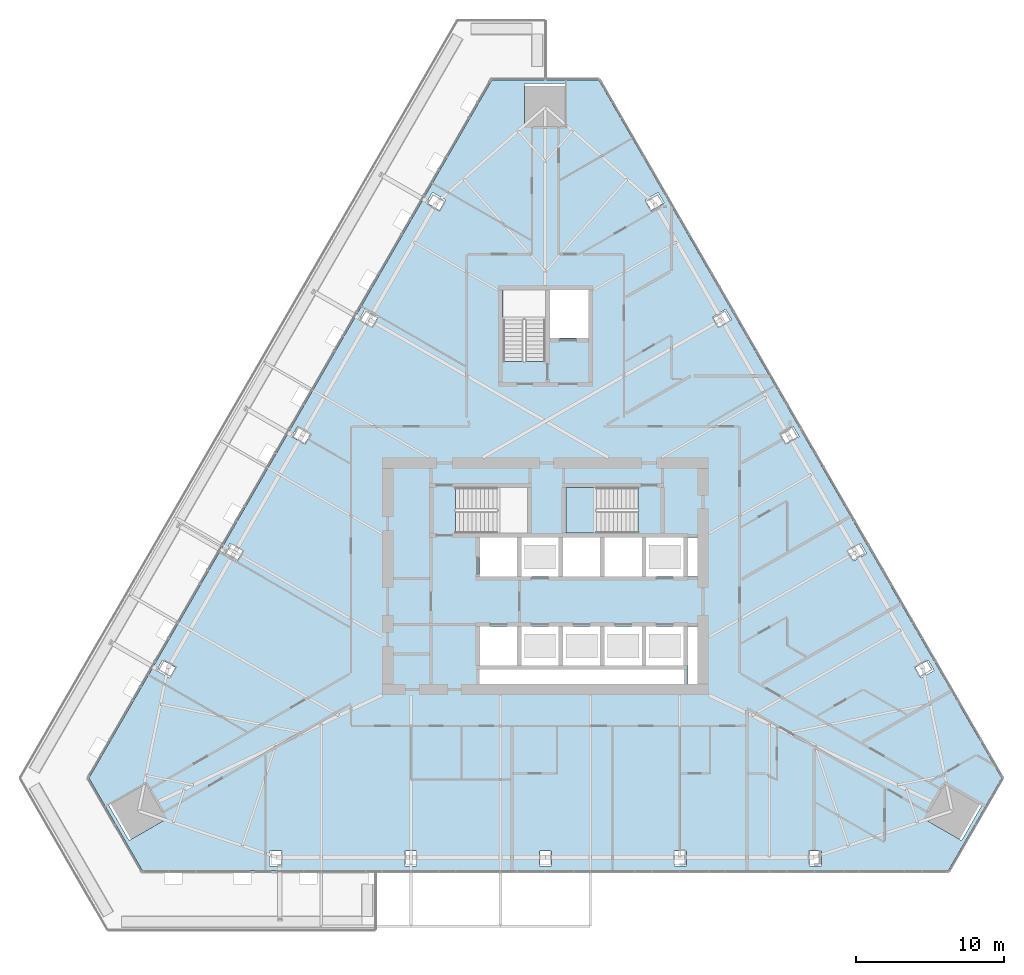
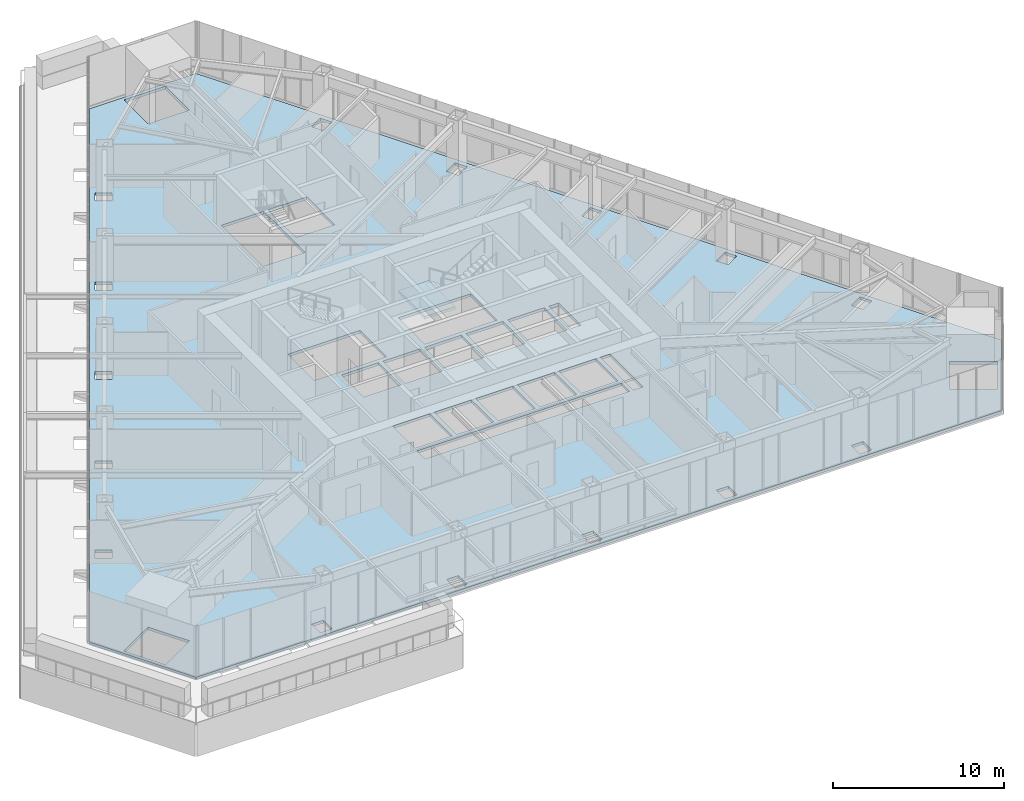
# One storey, part 20 of 35: 2 slabs, 1 element without a shape of its own.
"""IFC4 building model written with IfcOpenShell, lengths in metres."""

from ifc_helpers import new_model, si_unit, direction, frame, origin, place, context, subcontext, project, spatial, polyline, outline, extrude, material, layer, layer_set, type_object, element, aggregate, save


model = new_model("IFC4")

# Units and contexts
model_context = context("Model", 3, precision=1e-05, world=origin(), true_north=direction((0.0, 1.0)))
body_context = subcontext(model_context, "Body", "Model", "MODEL_VIEW")
ifc_project = project(units=[si_unit("LENGTHUNIT", "METRE"), si_unit("AREAUNIT", "SQUARE_METRE"), si_unit("VOLUMEUNIT", "CUBIC_METRE"), si_unit("PLANEANGLEUNIT", "RADIAN"), si_unit("MASSUNIT", "GRAM", prefix="KILO")], contexts=[model_context])

# Site, building, storey
site_placement = place(None, origin())
site = spatial("IfcSite", under=ifc_project, at=site_placement, CompositionType="ELEMENT")
building_placement = place(site_placement, origin())
building = spatial("IfcBuilding", under=site, at=building_placement, Name="Firuza Gate Tower and Library", CompositionType="ELEMENT")
storey_placement = place(building_placement, frame((0.0, 0.0, 159.699951171875)))
storey = spatial("IfcBuildingStorey", under=building, at=storey_placement, Name="L36", CompositionType="ELEMENT", Elevation=159.699951171875)

# Slab
ifc_material_1 = material(Name="Concrete C40/50", Category="concrete")
ifc_layer_1 = layer(ifc_material_1, 0.199951171875)
ifc_layer_set_1 = layer_set([ifc_layer_1], Name="Composite floor slab 200 C40/50")
slab_type_1 = type_object("IfcSlabType", Name="Composite floor slab 200 C40/50", PredefinedType="FLOOR", material=ifc_layer_set_1)
slab_1_placement = place(storey_placement, frame((0.0, 0.0, -0.199951171875)))
element("IfcSlab", 1, at=slab_1_placement, inside=storey, type_object=slab_type_1, Name="Floor slab L36", PredefinedType="FLOOR", context=body_context, shape_type="SweptSolid", body=[
    extrude(outline(polyline([(44.238037109375, 61.396484375), (47.838134765625, 55.1611328125), (102.161865234375, 55.1611328125), (105.761962890625, 61.396484375), (78.60009765625, 108.4423828125), (71.39990234375, 108.4423828125), (44.238037109375, 61.396484375)]), holes=[polyline([(56.39990234375, 55.4814453125), (56.39990234375, 56.4814453125), (57.199951171875, 56.4814453125), (57.199951171875, 55.4814453125), (56.39990234375, 55.4814453125)]), polyline([(74.60009765625, 55.4814453125), (74.60009765625, 56.4814453125), (75.39990234375, 56.4814453125), (75.39990234375, 55.4814453125), (74.60009765625, 55.4814453125)]), polyline([(65.5, 55.4814453125), (65.5, 56.4814453125), (66.300048828125, 56.4814453125), (66.300048828125, 55.4814453125), (65.5, 55.4814453125)]), polyline([(45.54638671875, 59.611572265625), (47.97119140625, 61.011474609375), (49.371337890625, 58.586669921875), (46.9462890625, 57.186767578125), (45.54638671875, 59.611572265625)]), polyline([(84.35009765625, 67.75), (70.550048828125, 67.75), (70.550048828125, 68.699951171875), (84.35009765625, 68.699951171875), (84.35009765625, 67.75)]), polyline([(49.1962890625, 69.343994140625), (50.0625, 68.843994140625), (49.662353515625, 68.151123046875), (48.79638671875, 68.651123046875), (49.1962890625, 69.343994140625)]), polyline([(73.10009765625, 69.0), (70.60009765625, 69.0), (70.60009765625, 71.60009765625), (73.10009765625, 71.60009765625), (73.10009765625, 69.0)]), polyline([(75.89990234375, 69.0), (73.39990234375, 69.0), (73.39990234375, 71.60009765625), (75.89990234375, 71.60009765625), (75.89990234375, 69.0)]), polyline([(73.10009765625, 75.0), (70.60009765625, 75.0), (70.60009765625, 77.60009765625), (73.10009765625, 77.60009765625), (73.10009765625, 75.0)]), polyline([(75.89990234375, 75.0), (73.39990234375, 75.0), (73.39990234375, 77.60009765625), (75.89990234375, 77.60009765625), (75.89990234375, 75.0)]), polyline([(53.746337890625, 77.224853515625), (54.612548828125, 76.724853515625), (54.21240234375, 76.031982421875), (53.346435546875, 76.531982421875), (53.746337890625, 77.224853515625)]), polyline([(73.81005859375, 77.89990234375), (68.9404296875, 77.89990234375), (68.9404296875, 80.97998046875), (73.81005859375, 80.97998046875), (73.81005859375, 77.89990234375)]), polyline([(58.29638671875, 85.105712890625), (59.162353515625, 84.605712890625), (58.762451171875, 83.912841796875), (57.896484375, 84.412841796875), (58.29638671875, 85.105712890625)]), polyline([(72.159912109375, 89.470458984375), (72.159912109375, 94.300048828125), (75.0, 94.300048828125), (75.0, 89.470458984375), (72.159912109375, 89.470458984375)]), polyline([(62.846435546875, 92.986572265625), (63.71240234375, 92.486572265625), (63.3125, 91.793701171875), (62.4462890625, 92.293701171875), (62.846435546875, 92.986572265625)]), polyline([(75.300048828125, 91.050048828125), (75.300048828125, 94.300048828125), (77.89990234375, 94.300048828125), (77.89990234375, 91.050048828125), (75.300048828125, 91.050048828125)]), polyline([(68.262451171875, 100.367431640625), (67.862548828125, 99.674560546875), (66.996337890625, 100.174560546875), (67.396484375, 100.867431640625), (68.262451171875, 100.367431640625)]), polyline([(76.39990234375, 108.201904296875), (76.39990234375, 105.40185546875), (73.60009765625, 105.40185546875), (73.60009765625, 108.201904296875), (76.39990234375, 108.201904296875)]), polyline([(92.800048828125, 55.4814453125), (92.800048828125, 56.4814453125), (93.60009765625, 56.4814453125), (93.60009765625, 55.4814453125), (92.800048828125, 55.4814453125)]), polyline([(83.699951171875, 55.4814453125), (83.699951171875, 56.4814453125), (84.5, 56.4814453125), (84.5, 55.4814453125), (83.699951171875, 55.4814453125)]), polyline([(103.0537109375, 57.186767578125), (100.628662109375, 58.586669921875), (102.02880859375, 61.011474609375), (104.45361328125, 59.611572265625), (103.0537109375, 57.186767578125)]), polyline([(101.20361328125, 68.651123046875), (100.337646484375, 68.151123046875), (99.9375, 68.843994140625), (100.8037109375, 69.343994140625), (101.20361328125, 68.651123046875)]), polyline([(85.25, 67.75), (84.60009765625, 67.75), (84.60009765625, 71.60009765625), (85.25, 71.60009765625), (85.25, 67.75)]), polyline([(81.5, 69.0), (79.0, 69.0), (79.0, 71.60009765625), (81.5, 71.60009765625), (81.5, 69.0)]), polyline([(81.800048828125, 69.0), (81.800048828125, 71.60009765625), (84.300048828125, 71.60009765625), (84.300048828125, 69.0), (81.800048828125, 69.0)]), polyline([(76.199951171875, 69.0), (76.199951171875, 71.60009765625), (78.699951171875, 71.60009765625), (78.699951171875, 69.0), (76.199951171875, 69.0)]), polyline([(81.5, 75.0), (79.0, 75.0), (79.0, 77.60009765625), (81.5, 77.60009765625), (81.5, 75.0)]), polyline([(84.300048828125, 75.0), (81.800048828125, 75.0), (81.800048828125, 77.60009765625), (84.300048828125, 77.60009765625), (84.300048828125, 75.0)]), polyline([(85.25, 75.0), (84.60009765625, 75.0), (84.60009765625, 77.60009765625), (85.25, 77.60009765625), (85.25, 75.0)]), polyline([(78.699951171875, 75.0), (76.199951171875, 75.0), (76.199951171875, 77.60009765625), (78.699951171875, 77.60009765625), (78.699951171875, 75.0)]), polyline([(96.653564453125, 76.531982421875), (95.78759765625, 76.031982421875), (95.387451171875, 76.724853515625), (96.253662109375, 77.224853515625), (96.653564453125, 76.531982421875)]), polyline([(81.259521484375, 77.89990234375), (76.389892578125, 77.89990234375), (76.389892578125, 80.97998046875), (81.259521484375, 80.97998046875), (81.259521484375, 77.89990234375)]), polyline([(92.103515625, 84.412841796875), (91.237548828125, 83.912841796875), (90.837646484375, 84.605712890625), (91.70361328125, 85.105712890625), (92.103515625, 84.412841796875)]), polyline([(86.6875, 91.793701171875), (86.28759765625, 92.486572265625), (87.153564453125, 92.986572265625), (87.5537109375, 92.293701171875), (86.6875, 91.793701171875)]), polyline([(82.137451171875, 99.674560546875), (81.737548828125, 100.367431640625), (82.603515625, 100.867431640625), (83.003662109375, 100.174560546875), (82.137451171875, 99.674560546875)])]), origin(), (0.0, 0.0, 1.0), 0.199951171875),
])

# Stair, slab
ifc_material_2 = material(Name="Concrete C35/45", Category="concrete")
stair_type = type_object("IfcStairType", Name="Exit stair ST7", PredefinedType="HALF_TURN_STAIR", material=ifc_material_2)
stair_placement = place(storey_placement, origin())
stair = element("IfcStair", 2, at=stair_placement, inside=storey, type_object=stair_type, Name="L36 Stair ST2", PredefinedType="HALF_TURN_STAIR")
ifc_material_3 = material(Name="Concrete C35/45", Category="concrete")
ifc_layer_2 = layer(ifc_material_3, 0.199951171875)
ifc_layer_set_2 = layer_set([ifc_layer_2], Name="Stair landing 200")
slab_type_2 = type_object("IfcSlabType", Name="Stair landing 200", PredefinedType="LANDING", material=ifc_layer_set_2)
slab_2_placement = place(storey_placement, frame((0.0, 0.0, 1.75)))
slab_2 = element("IfcSlab", 3, at=slab_2_placement, type_object=slab_type_2, Name="ST2 landing 1", PredefinedType="LANDING", context=body_context, shape_type="SweptSolid", body=[
    extrude(outline(polyline([(78.4599609375, 80.97998046875), (76.389892578125, 80.97998046875), (76.389892578125, 77.89990234375), (78.4599609375, 77.89990234375), (78.4599609375, 80.97998046875)])), origin(), (0.0, 0.0, 1.0), 0.199951171875),
])
aggregate(stair, [slab_2])

save(model, "model.ifc")
